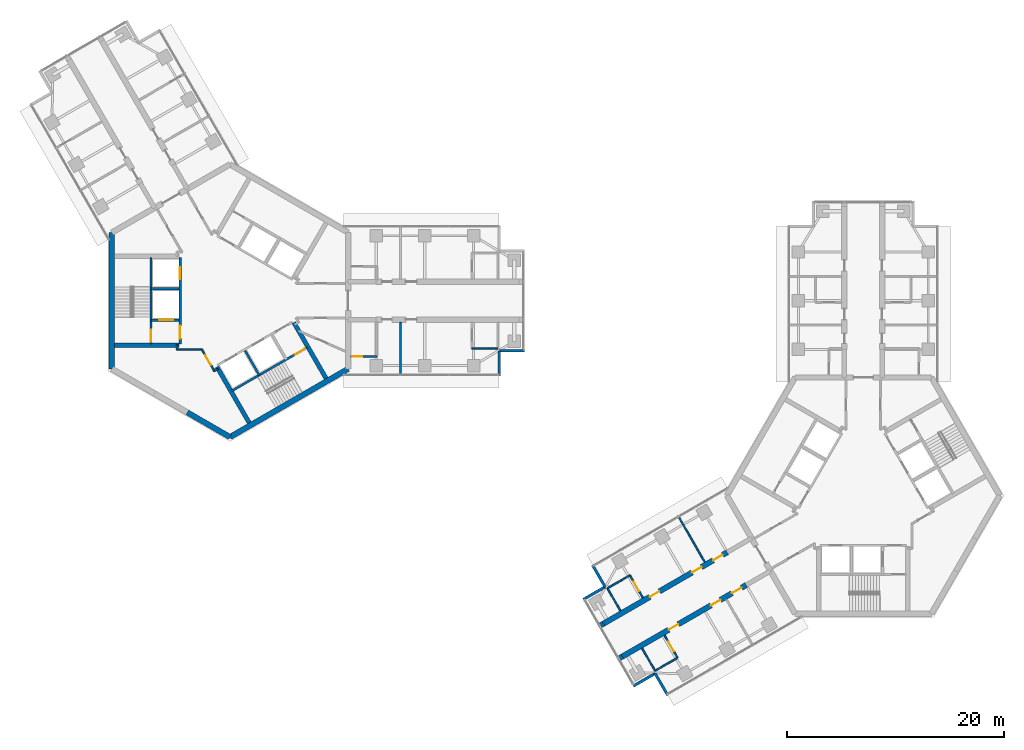
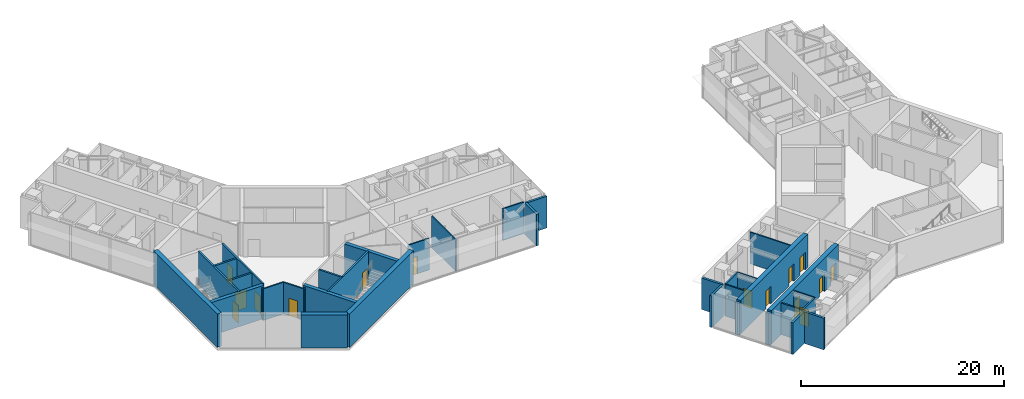
# One storey, part 11 of 17: 36 walls, 15 doors, 15 openings.
"""IFC4 building model written with IfcOpenShell, lengths in metres."""

from ifc_helpers import new_model, si_unit, direction, frame, frame_2d, origin, place, context, subcontext, project, spatial, rectangle, extrude, material, layer, layer_set, type_object, element, fill, save


model = new_model("IFC4")

# Units and contexts
model_context = context("Model", 3, precision=1e-05, world=origin(), true_north=direction((0.0, 1.0)))
body_context = subcontext(model_context, "Body", "Model", "MODEL_VIEW")
ifc_project = project(units=[si_unit("LENGTHUNIT", "METRE"), si_unit("AREAUNIT", "SQUARE_METRE"), si_unit("VOLUMEUNIT", "CUBIC_METRE"), si_unit("PLANEANGLEUNIT", "RADIAN"), si_unit("MASSUNIT", "GRAM", prefix="KILO")], contexts=[model_context])

# Site, building, storey
site_placement = place(None, origin())
site = spatial("IfcSite", under=ifc_project, at=site_placement, CompositionType="ELEMENT")
building_placement = place(site_placement, origin())
building = spatial("IfcBuilding", under=site, at=building_placement, Name="Upepo Twin Towers", CompositionType="ELEMENT")
storey_placement = place(building_placement, frame((0.0, 0.0, 202.5)))
storey = spatial("IfcBuildingStorey", under=building, at=storey_placement, Name="L49", CompositionType="ELEMENT", Elevation=202.5)

# Walls
ifc_material_1 = material(Name="Dense concrete blockwork", Category="masonry")
ifc_layer_1 = layer(ifc_material_1, 0.5)
ifc_layer_set_1 = layer_set([ifc_layer_1], Name="Buttress closer 500, blockwork with fire-stopping to the curtain wall")
wall_type_1 = type_object("IfcWallType", Name="Buttress closer 500, blockwork with fire-stopping to the curtain wall", PredefinedType="PARTITIONING", material=ifc_layer_set_1)
for number, where, z_axis, x_axis, name in (
    (1, (36.252197265625, -32.865478515625, 0.0), (0.0, 0.0, 1.0), (-0.86598763626, -0.500065409566, 0.0), "T2 L49 wing B buttress closer L"),
    (2, (34.502197265625, -29.83447265625, 0.0), (0.0, 0.0, 1.0), (-0.86598763626, -0.500065409566, 0.0), "T2 L49 wing B buttress closer R"),
):
    element("IfcWall", number, at=place(storey_placement, frame(where, z_axis=z_axis, x_axis=x_axis)), inside=storey, type_object=wall_type_1, Name=name, PredefinedType="PARTITIONING", context=body_context, shape_type="SweptSolid", body=[
        extrude(rectangle(XDim=0.28759765625, YDim=0.5, at=frame_2d((0.143798828125, 0.0))), origin(), (0.0, 0.0, 1.0), 3.800048828125),
    ])

# Wall, openings, doors
ifc_material_2 = material(Name="Concrete C60/75", Category="concrete")
ifc_layer_2 = layer(ifc_material_2, 0.5)
ifc_layer_set_2 = layer_set([ifc_layer_2], Name="Concrete C60/75")
wall_type_2 = type_object("IfcWallType", Name="Buttress wall 500 RC", PredefinedType="SHEAR", material=ifc_layer_set_2)
wall_1_placement = place(storey_placement, frame((47.68359375, -26.265625, 0.0), z_axis=(0.0, 0.0, 1.0), x_axis=(-0.866027579429, -0.499996231654, 0.0)))
wall_1 = element("IfcWall", 3, at=wall_1_placement, inside=storey, type_object=wall_type_2, Name="T2 wing B buttress wall L part 2", PredefinedType="SHEAR", context=body_context, shape_type="SweptSolid", body=[
    extrude(rectangle(XDim=13.19970703125, YDim=0.5, at=frame_2d((6.599853515625, 0.0))), origin(), (0.0, 0.0, 1.0), 4.0),
])
opening_1_placement = place(wall_1_placement, frame((0.5, 0.0, 0.0)))
opening_1 = element("IfcOpeningElement", 4, at=opening_1_placement, cuts=wall_1, Name="Opening D1", PredefinedType="OPENING", context=body_context, shape_type="SweptSolid", body=[
    extrude(rectangle(XDim=1.0, YDim=2.10009765625, at=frame_2d((0.5, 1.050048828125))), frame((0.0, 0.260009765625, 0.0), z_axis=(0.0, -1.0, 0.0), x_axis=(1.0, 0.0, 0.0)), (0.0, 0.0, 1.0), 0.52001953125),
])
opening_2_placement = place(wall_1_placement, frame((2.75, 0.0, 0.0)))
opening_2 = element("IfcOpeningElement", 5, at=opening_2_placement, cuts=wall_1, Name="Opening D1", PredefinedType="OPENING", context=body_context, shape_type="SweptSolid", body=[
    extrude(rectangle(XDim=1.0, YDim=2.10009765625, at=frame_2d((0.5, 1.050048828125))), frame((0.0, 0.260009765625, 0.0), z_axis=(0.0, -1.0, 0.0), x_axis=(1.0, 0.0, 0.0)), (0.0, 0.0, 1.0), 0.52001953125),
])
opening_3_placement = place(wall_1_placement, frame((7.25, 0.0, 0.0)))
opening_3 = element("IfcOpeningElement", 6, at=opening_3_placement, cuts=wall_1, Name="Opening D1", PredefinedType="OPENING", context=body_context, shape_type="SweptSolid", body=[
    extrude(rectangle(XDim=1.0, YDim=2.10009765625, at=frame_2d((0.5, 1.050048828125))), frame((0.0, 0.260009765625, 0.0), z_axis=(0.0, -1.0, 0.0), x_axis=(1.0, 0.0, 0.0)), (0.0, 0.0, 1.0), 0.52001953125),
])
ifc_material_3 = material(Name="Timber doorset", Category="wood")
door_type_1 = type_object("IfcDoorType", Name="Room door 1000 FD30", OperationType="SINGLE_SWING_LEFT", PredefinedType="DOOR", material=ifc_material_3)
door_1_placement = place(opening_1_placement, origin())
door_1 = element("IfcDoor", 7, at=door_1_placement, inside=storey, type_object=door_type_1, Name="T2 L49 tutorial room door", OperationType="SINGLE_SWING_LEFT", OverallHeight=2.10009765625, OverallWidth=1.0, PredefinedType="DOOR", context=body_context, shape_type="SweptSolid", body=[
    extrude(rectangle(XDim=1.0, YDim=2.10009765625, at=frame_2d((0.5, 1.050048828125))), frame((0.0, 0.02490234375, 0.0), z_axis=(0.0, -1.0, 0.0), x_axis=(1.0, 0.0, 0.0)), (0.0, 0.0, 1.0), 0.050048828125),
])
fill(opening_1, door_1)
door_2_placement = place(opening_2_placement, origin())
door_2 = element("IfcDoor", 8, at=door_2_placement, inside=storey, type_object=door_type_1, Name="T2 L49 business school suite door", OperationType="SINGLE_SWING_LEFT", OverallHeight=2.10009765625, OverallWidth=1.0, PredefinedType="DOOR", context=body_context, shape_type="SweptSolid", body=[
    extrude(rectangle(XDim=1.0, YDim=2.10009765625, at=frame_2d((0.5, 1.050048828125))), frame((0.0, 0.02490234375, 0.0), z_axis=(0.0, -1.0, 0.0), x_axis=(1.0, 0.0, 0.0)), (0.0, 0.0, 1.0), 0.050048828125),
])
fill(opening_2, door_2)
door_3_placement = place(opening_3_placement, origin())
door_3 = element("IfcDoor", 9, at=door_3_placement, inside=storey, type_object=door_type_1, Name="T2 L49 business school suite door", OperationType="SINGLE_SWING_RIGHT", OverallHeight=2.10009765625, OverallWidth=1.0, PredefinedType="DOOR", context=body_context, shape_type="SweptSolid", body=[
    extrude(rectangle(XDim=1.0, YDim=2.10009765625, at=frame_2d((0.5, 1.050048828125))), frame((0.0, 0.02490234375, 0.0), z_axis=(0.0, -1.0, 0.0), x_axis=(1.0, 0.0, 0.0)), (0.0, 0.0, 1.0), 0.050048828125),
])
fill(opening_3, door_3)

wall_2_placement = place(storey_placement, frame((45.93359375, -23.234375, 0.0), z_axis=(0.0, 0.0, 1.0), x_axis=(-0.866019570528, -0.500010103361, 0.0)))
wall_2 = element("IfcWall", 10, at=wall_2_placement, inside=storey, type_object=wall_type_2, Name="T2 wing B buttress wall R part 2", PredefinedType="SHEAR", context=body_context, shape_type="SweptSolid", body=[
    extrude(rectangle(XDim=13.199951171875, YDim=0.5, at=frame_2d((6.60009765625, 0.0))), origin(), (0.0, 0.0, 1.0), 4.0),
])
opening_4_placement = place(wall_2_placement, frame((0.5, 0.0, 0.0)))
opening_4 = element("IfcOpeningElement", 11, at=opening_4_placement, cuts=wall_2, Name="Opening D1", PredefinedType="OPENING", context=body_context, shape_type="SweptSolid", body=[
    extrude(rectangle(XDim=1.0, YDim=2.10009765625, at=frame_2d((0.5, 1.050048828125))), frame((0.0, 0.260009765625, 0.0), z_axis=(0.0, -1.0, 0.0), x_axis=(1.0, 0.0, 0.0)), (0.0, 0.0, 1.0), 0.52001953125),
])
opening_5_placement = place(wall_2_placement, frame((2.75, 0.0, 0.0)))
opening_5 = element("IfcOpeningElement", 12, at=opening_5_placement, cuts=wall_2, Name="Opening D1", PredefinedType="OPENING", context=body_context, shape_type="SweptSolid", body=[
    extrude(rectangle(XDim=1.0, YDim=2.10009765625, at=frame_2d((0.5, 1.050048828125))), frame((0.0, 0.260009765625, 0.0), z_axis=(0.0, -1.0, 0.0), x_axis=(1.0, 0.0, 0.0)), (0.0, 0.0, 1.0), 0.52001953125),
])
opening_6_placement = place(wall_2_placement, frame((7.25, 0.0, 0.0)))
opening_6 = element("IfcOpeningElement", 13, at=opening_6_placement, cuts=wall_2, Name="Opening D1", PredefinedType="OPENING", context=body_context, shape_type="SweptSolid", body=[
    extrude(rectangle(XDim=1.0, YDim=2.10009765625, at=frame_2d((0.5, 1.050048828125))), frame((0.0, 0.260009765625, 0.0), z_axis=(0.0, -1.0, 0.0), x_axis=(1.0, 0.0, 0.0)), (0.0, 0.0, 1.0), 0.52001953125),
])
door_4_placement = place(opening_4_placement, origin())
door_4 = element("IfcDoor", 14, at=door_4_placement, inside=storey, type_object=door_type_1, Name="T2 L49 staff office door", OperationType="SINGLE_SWING_LEFT", OverallHeight=2.10009765625, OverallWidth=1.0, PredefinedType="DOOR", context=body_context, shape_type="SweptSolid", body=[
    extrude(rectangle(XDim=1.0, YDim=2.10009765625, at=frame_2d((0.5, 1.050048828125))), frame((0.0, 0.02490234375, 0.0), z_axis=(0.0, -1.0, 0.0), x_axis=(1.0, 0.0, 0.0)), (0.0, 0.0, 1.0), 0.050048828125),
])
fill(opening_4, door_4)
door_5_placement = place(opening_5_placement, origin())
door_5 = element("IfcDoor", 15, at=door_5_placement, inside=storey, type_object=door_type_1, Name="T2 L49 business school suite door", OperationType="SINGLE_SWING_LEFT", OverallHeight=2.10009765625, OverallWidth=1.0, PredefinedType="DOOR", context=body_context, shape_type="SweptSolid", body=[
    extrude(rectangle(XDim=1.0, YDim=2.10009765625, at=frame_2d((0.5, 1.050048828125))), frame((0.0, 0.02490234375, 0.0), z_axis=(0.0, -1.0, 0.0), x_axis=(1.0, 0.0, 0.0)), (0.0, 0.0, 1.0), 0.050048828125),
])
fill(opening_5, door_5)
door_6_placement = place(opening_6_placement, origin())
door_6 = element("IfcDoor", 16, at=door_6_placement, inside=storey, type_object=door_type_1, Name="T2 L49 business school suite door", OperationType="SINGLE_SWING_RIGHT", OverallHeight=2.10009765625, OverallWidth=1.0, PredefinedType="DOOR", context=body_context, shape_type="SweptSolid", body=[
    extrude(rectangle(XDim=1.0, YDim=2.10009765625, at=frame_2d((0.5, 1.050048828125))), frame((0.0, 0.02490234375, 0.0), z_axis=(0.0, -1.0, 0.0), x_axis=(1.0, 0.0, 0.0)), (0.0, 0.0, 1.0), 0.050048828125),
])
fill(opening_6, door_6)

# Walls
ifc_material_4 = material(Name="Concrete C60/75", Category="concrete")
ifc_layer_3 = layer(ifc_material_4, 0.5)
ifc_layer_set_3 = layer_set([ifc_layer_3], Name="Concrete C60/75")
wall_type_3 = type_object("IfcWallType", Name="Core wall 500 RC", PredefinedType="SHEAR", material=ifc_layer_set_3)
wall_3_placement = place(storey_placement, frame((-10.908447265625, 6.2978515625, 0.0), z_axis=(0.0, 0.0, 1.0), x_axis=(0.0, -1.0, 0.0)))
element("IfcWall", 17, at=wall_3_placement, inside=storey, type_object=wall_type_3, Name="T1 core wall 180", PredefinedType="SHEAR", context=body_context, shape_type="SweptSolid", body=[
    extrude(rectangle(XDim=12.595703125, YDim=0.5, at=frame_2d((6.2978515625, 0.0))), origin(), (0.0, 0.0, 1.0), 4.0),
])
wall_4_placement = place(storey_placement, frame((-3.938720703125, -10.32177734375, 0.0), z_axis=(0.0, 0.0, 1.0), x_axis=(0.866011268655, -0.500024481964, 0.0)))
element("IfcWall", 18, at=wall_4_placement, inside=storey, type_object=wall_type_3, Name="T1 core wall 240 L", PredefinedType="SHEAR", context=body_context, shape_type="SweptSolid", body=[
    extrude(rectangle(XDim=4.548095703125, YDim=0.5, at=frame_2d((2.27392578125, 0.0))), origin(), (0.0, 0.0, 1.0), 4.0),
])
wall_5_placement = place(storey_placement, frame((0.0, -12.595947265625, 0.0), z_axis=(0.0, 0.0, 1.0), x_axis=(0.866021940709, 0.500005998175, 0.0)))
element("IfcWall", 19, at=wall_5_placement, inside=storey, type_object=wall_type_3, Name="T1 core wall 300", PredefinedType="SHEAR", context=body_context, shape_type="SweptSolid", body=[
    extrude(rectangle(XDim=12.595947265625, YDim=0.5, at=frame_2d((6.2978515625, 0.0))), origin(), (0.0, 0.0, 1.0), 4.0),
])
ifc_material_5 = material(Name="Blockwork with anodised aluminium cladding", Category="masonry")
ifc_layer_4 = layer(ifc_material_5, 0.25)
ifc_layer_set_4 = layer_set([ifc_layer_4], Name="Notch cladding wall 250, pale metal")
wall_type_4 = type_object("IfcWallType", Name="Notch cladding wall 250, pale metal", PredefinedType="STANDARD", material=ifc_layer_set_4)
for number, where, z_axis, x_axis, name in (
    (20, (24.875, -6.949951171875, 0.0), (0.0, 0.0, 1.0), (0.0, 1.0, 0.0), "T1 L49 wing A notch wall R1"),
    (21, (24.875, -4.625, 0.0), (0.0, 0.0, 1.0), (1.0, 0.0, 0.0), "T1 L49 wing A notch wall R2"),
    (22, (40.4326171875, -36.456298828125, 0.0), (0.0, 0.0, 1.0), (-0.500046648681, 0.865998469481, 0.0), "T2 L49 wing B notch wall L1"),
    (23, (39.27001953125, -34.44287109375, 0.0), (0.0, 0.0, 1.0), (-0.865998469481, -0.500046648681, 0.0), "T2 L49 wing B notch wall L2"),
    (24, (33.482666015625, -24.418701171875, 0.0), (0.0, 0.0, 1.0), (0.499967891604, -0.866043940782, 0.0), "T2 L49 wing B notch wall R1"),
    (25, (34.64501953125, -26.43212890625, 0.0), (0.0, 0.0, 1.0), (-0.865998469481, -0.500046648681, 0.0), "T2 L49 wing B notch wall R2"),
):
    element("IfcWall", number, at=place(storey_placement, frame(where, z_axis=z_axis, x_axis=x_axis)), inside=storey, type_object=wall_type_4, Name=name, PredefinedType="STANDARD", context=body_context, shape_type="SweptSolid", body=[
        extrude(rectangle(XDim=2.324951171875, YDim=0.25, at=frame_2d((1.16259765625, 0.0))), origin(), (0.0, 0.0, 1.0), 3.800048828125),
    ])

# Wall, openings, doors
ifc_material_6 = material(Name="Concrete C40/50", Category="concrete")
ifc_layer_5 = layer(ifc_material_6, 0.199951171875)
ifc_layer_set_5 = layer_set([ifc_layer_5], Name="Concrete C40/50")
wall_type_5 = type_object("IfcWallType", Name="Shaft wall 200 RC", PredefinedType="SHEAR", material=ifc_layer_set_5)
wall_6_placement = place(storey_placement, frame((-4.60009765625, 4.0, 0.0), z_axis=(0.0, 0.0, 1.0), x_axis=(0.0, -1.0, 0.0)))
wall_6 = element("IfcWall", 26, at=wall_6_placement, inside=storey, type_object=wall_type_5, Name="T1 core W180 front wall", PredefinedType="SHEAR", context=body_context, shape_type="SweptSolid", body=[
    extrude(rectangle(XDim=8.0, YDim=0.199951171875, at=frame_2d((4.0, 0.0))), origin(), (0.0, 0.0, 1.0), 4.0),
])
opening_7_placement = place(wall_6_placement, frame((6.300048828125, 0.0, 0.0)))
opening_7 = element("IfcOpeningElement", 27, at=opening_7_placement, cuts=wall_6, Name="Opening D4", PredefinedType="OPENING", context=body_context, shape_type="SweptSolid", body=[
    extrude(rectangle(XDim=1.199951171875, YDim=2.10009765625, at=frame_2d((0.60009765625, 1.050048828125))), frame((0.0, 0.10986328125, 0.0), z_axis=(0.0, -1.0, 0.0), x_axis=(1.0, 0.0, 0.0)), (0.0, 0.0, 1.0), 0.219970703125),
])
opening_8_placement = place(wall_6_placement, frame((0.89990234375, 0.0, 0.0)))
opening_8 = element("IfcOpeningElement", 28, at=opening_8_placement, cuts=wall_6, Name="Opening LD1", PredefinedType="OPENING", context=body_context, shape_type="SweptSolid", body=[
    extrude(rectangle(XDim=1.10009765625, YDim=2.199951171875, at=frame_2d((0.550048828125, 1.10009765625))), frame((0.0, 0.10986328125, 0.0), z_axis=(0.0, -1.0, 0.0), x_axis=(1.0, 0.0, 0.0)), (0.0, 0.0, 1.0), 0.219970703125),
])
ifc_material_7 = material(Name="Steel doorset", Category="steel")
door_type_2 = type_object("IfcDoorType", Name="Lift landing door 1100", OperationType="DOUBLE_DOOR_SLIDING", PredefinedType="DOOR", material=ifc_material_7)
door_7_placement = place(opening_8_placement, origin())
door_7 = element("IfcDoor", 29, at=door_7_placement, inside=storey, type_object=door_type_2, Name="T1 L49 lift SV1 landing door", OperationType="DOUBLE_DOOR_SLIDING", OverallHeight=2.199951171875, OverallWidth=1.10009765625, PredefinedType="DOOR", context=body_context, shape_type="SweptSolid", body=[
    extrude(rectangle(XDim=1.10009765625, YDim=2.199951171875, at=frame_2d((0.550048828125, 1.10009765625))), frame((0.0, 0.02490234375, 0.0), z_axis=(0.0, -1.0, 0.0), x_axis=(1.0, 0.0, 0.0)), (0.0, 0.0, 1.0), 0.050048828125),
])
fill(opening_8, door_7)
ifc_material_8 = material(Name="Timber doorset", Category="wood")
door_type_3 = type_object("IfcDoorType", Name="Lobby door 1200 FD60", OperationType="SINGLE_SWING_LEFT", PredefinedType="DOOR", material=ifc_material_8)
door_8_placement = place(opening_7_placement, origin())
door_8 = element("IfcDoor", 30, at=door_8_placement, inside=storey, type_object=door_type_3, Name="T1 L49 W180 lobby door", OperationType="SINGLE_SWING_RIGHT", OverallHeight=2.10009765625, OverallWidth=1.199951171875, PredefinedType="DOOR", context=body_context, shape_type="SweptSolid", body=[
    extrude(rectangle(XDim=1.199951171875, YDim=2.10009765625, at=frame_2d((0.60009765625, 1.050048828125))), frame((0.0, 0.02490234375, 0.0), z_axis=(0.0, -1.0, 0.0), x_axis=(1.0, 0.0, 0.0)), (0.0, 0.0, 1.0), 0.050048828125),
])
fill(opening_7, door_8)

# Wall
wall_7_placement = place(storey_placement, frame((-4.699951171875, 1.10009765625, 0.0), z_axis=(0.0, 0.0, 1.0), x_axis=(-1.0, 0.0, 0.0)))
element("IfcWall", 31, at=wall_7_placement, inside=storey, type_object=wall_type_5, Name="T1 core W180 shaft divider", PredefinedType="SHEAR", context=body_context, shape_type="SweptSolid", body=[
    extrude(rectangle(XDim=2.60009765625, YDim=0.199951171875, at=frame_2d((1.300048828125, 0.0))), origin(), (0.0, 0.0, 1.0), 4.0),
])

# Wall, opening, door
wall_8_placement = place(storey_placement, frame((-4.699951171875, -1.800048828125, 0.0), z_axis=(0.0, 0.0, 1.0), x_axis=(-1.0, 0.0, 0.0)))
wall_8 = element("IfcWall", 32, at=wall_8_placement, inside=storey, type_object=wall_type_5, Name="T1 core W180 lobby wall", PredefinedType="SHEAR", context=body_context, shape_type="SweptSolid", body=[
    extrude(rectangle(XDim=2.60009765625, YDim=0.199951171875, at=frame_2d((1.300048828125, 0.0))), origin(), (0.0, 0.0, 1.0), 4.0),
])
opening_9_placement = place(wall_8_placement, frame((0.550048828125, 0.0, 0.0)))
opening_9 = element("IfcOpeningElement", 33, at=opening_9_placement, cuts=wall_8, Name="Opening LD2", PredefinedType="OPENING", context=body_context, shape_type="SweptSolid", body=[
    extrude(rectangle(XDim=1.300048828125, YDim=2.199951171875, at=frame_2d((0.64990234375, 1.10009765625))), frame((0.0, 0.10986328125, 0.0), z_axis=(0.0, -1.0, 0.0), x_axis=(1.0, 0.0, 0.0)), (0.0, 0.0, 1.0), 0.219970703125),
])
ifc_material_9 = material(Name="Steel doorset", Category="steel")
door_type_4 = type_object("IfcDoorType", Name="Firefighting lift landing door 1300", OperationType="DOUBLE_DOOR_SLIDING", PredefinedType="DOOR", material=ifc_material_9)
door_9_placement = place(opening_9_placement, origin())
door_9 = element("IfcDoor", 34, at=door_9_placement, inside=storey, type_object=door_type_4, Name="T1 L49 firefighting lift landing door", OperationType="DOUBLE_DOOR_SLIDING", OverallHeight=2.199951171875, OverallWidth=1.300048828125, PredefinedType="DOOR", context=body_context, shape_type="SweptSolid", body=[
    extrude(rectangle(XDim=1.300048828125, YDim=2.199951171875, at=frame_2d((0.64990234375, 1.10009765625))), frame((0.0, 0.02490234375, 0.0), z_axis=(0.0, -1.0, 0.0), x_axis=(1.0, 0.0, 0.0)), (0.0, 0.0, 1.0), 0.050048828125),
])
fill(opening_9, door_9)

wall_9_placement = place(storey_placement, frame((-7.300048828125, 4.0, 0.0), z_axis=(0.0, 0.0, 1.0), x_axis=(0.0, -1.0, 0.0)))
wall_9 = element("IfcWall", 35, at=wall_9_placement, inside=storey, type_object=wall_type_5, Name="T1 core W180 stair wall", PredefinedType="SHEAR", context=body_context, shape_type="SweptSolid", body=[
    extrude(rectangle(XDim=8.0, YDim=0.199951171875, at=frame_2d((4.0, 0.0))), origin(), (0.0, 0.0, 1.0), 4.0),
])
opening_10_placement = place(wall_9_placement, frame((6.699951171875, 0.0, 0.0)))
opening_10 = element("IfcOpeningElement", 36, at=opening_10_placement, cuts=wall_9, Name="Opening D3", PredefinedType="OPENING", context=body_context, shape_type="SweptSolid", body=[
    extrude(rectangle(XDim=1.10009765625, YDim=2.10009765625, at=frame_2d((0.550048828125, 1.050048828125))), frame((0.0, 0.10986328125, 0.0), z_axis=(0.0, -1.0, 0.0), x_axis=(1.0, 0.0, 0.0)), (0.0, 0.0, 1.0), 0.219970703125),
])
ifc_material_10 = material(Name="Timber doorset", Category="wood")
door_type_5 = type_object("IfcDoorType", Name="Stair door 1100 FD60", OperationType="SINGLE_SWING_LEFT", PredefinedType="DOOR", material=ifc_material_10)
door_10_placement = place(opening_10_placement, origin())
door_10 = element("IfcDoor", 37, at=door_10_placement, inside=storey, type_object=door_type_5, Name="T1 L49 stair door", OperationType="SINGLE_SWING_RIGHT", OverallHeight=2.10009765625, OverallWidth=1.10009765625, PredefinedType="DOOR", context=body_context, shape_type="SweptSolid", body=[
    extrude(rectangle(XDim=1.10009765625, YDim=2.10009765625, at=frame_2d((0.550048828125, 1.050048828125))), frame((0.0, 0.02490234375, 0.0), z_axis=(0.0, -1.0, 0.0), x_axis=(1.0, 0.0, 0.0)), (0.0, 0.0, 1.0), 0.050048828125),
])
fill(opening_10, door_10)

# Wall
wall_10_placement = place(storey_placement, frame((1.3974609375, -4.620361328125, 0.0), z_axis=(0.0, 0.0, 1.0), x_axis=(0.499936506574, -0.866062058628, 0.0)))
element("IfcWall", 38, at=wall_10_placement, inside=storey, type_object=wall_type_5, Name="T1 core W300 shaft divider", PredefinedType="SHEAR", context=body_context, shape_type="SweptSolid", body=[
    extrude(rectangle(XDim=2.599853515625, YDim=0.199951171875, at=frame_2d((1.2998046875, 0.0))), origin(), (0.0, 0.0, 1.0), 4.0),
])

# Wall, opening, door
wall_11_placement = place(storey_placement, frame((0.185791015625, -8.322021484375, 0.0), z_axis=(0.0, 0.0, 1.0), x_axis=(0.866026010844, 0.49999894854, 0.0)))
wall_11 = element("IfcWall", 39, at=wall_11_placement, inside=storey, type_object=wall_type_5, Name="T1 core W300 stair wall", PredefinedType="SHEAR", context=body_context, shape_type="SweptSolid", body=[
    extrude(rectangle(XDim=8.0, YDim=0.199951171875, at=frame_2d((4.0, 0.0))), origin(), (0.0, 0.0, 1.0), 4.0),
])
opening_11_placement = place(wall_11_placement, frame((6.699951171875, 0.0, 0.0)))
opening_11 = element("IfcOpeningElement", 40, at=opening_11_placement, cuts=wall_11, Name="Opening D3", PredefinedType="OPENING", context=body_context, shape_type="SweptSolid", body=[
    extrude(rectangle(XDim=1.10009765625, YDim=2.10009765625, at=frame_2d((0.550048828125, 1.050048828125))), frame((0.0, 0.10986328125, 0.0), z_axis=(0.0, -1.0, 0.0), x_axis=(1.0, 0.0, 0.0)), (0.0, 0.0, 1.0), 0.219970703125),
])
door_11_placement = place(opening_11_placement, origin())
door_11 = element("IfcDoor", 41, at=door_11_placement, inside=storey, type_object=door_type_5, Name="T1 L49 stair door", OperationType="SINGLE_SWING_RIGHT", OverallHeight=2.10009765625, OverallWidth=1.10009765625, PredefinedType="DOOR", context=body_context, shape_type="SweptSolid", body=[
    extrude(rectangle(XDim=1.10009765625, YDim=2.10009765625, at=frame_2d((0.550048828125, 1.050048828125))), frame((0.0, 0.02490234375, 0.0), z_axis=(0.0, -1.0, 0.0), x_axis=(1.0, 0.0, 0.0)), (0.0, 0.0, 1.0), 0.050048828125),
])
fill(opening_11, door_11)

# Walls
ifc_material_11 = material(Name="Concrete C40/50", Category="concrete")
ifc_layer_6 = layer(ifc_material_11, 0.39990234375)
ifc_layer_set_6 = layer_set([ifc_layer_6], Name="Concrete C40/50")
wall_type_6 = type_object("IfcWallType", Name="Shaft wall 400 RC", PredefinedType="SHEAR", material=ifc_layer_set_6)
for number, where, z_axis, x_axis, name in (
    (42, (-4.699951171875, -4.10009765625, 0.0), (0.0, 0.0, 1.0), (-1.0, 0.0, 0.0), "T1 core W180 side wall N"),
    (43, (5.900634765625, -2.020263671875, 0.0), (0.0, 0.0, 1.0), (0.500003832394, -0.86602319114, 0.0), "T1 core W300 side wall N"),
):
    element("IfcWall", number, at=place(storey_placement, frame(where, z_axis=z_axis, x_axis=x_axis)), inside=storey, type_object=wall_type_6, Name=name, PredefinedType="SHEAR", context=body_context, shape_type="SweptSolid", body=[
        extrude(rectangle(XDim=5.95849609375, YDim=0.39990234375, at=frame_2d((2.979248046875, 0.0))), origin(), (0.0, 0.0, 1.0), 4.0),
    ])
wall_12_placement = place(storey_placement, frame((-1.20068359375, -6.120361328125, 0.0), z_axis=(0.0, 0.0, 1.0), x_axis=(0.500021575205, -0.866012946976, 0.0)))
element("IfcWall", 44, at=wall_12_placement, inside=storey, type_object=wall_type_6, Name="T1 core W300 side wall S", PredefinedType="SHEAR", context=body_context, shape_type="SweptSolid", body=[
    extrude(rectangle(XDim=5.958251953125, YDim=0.39990234375, at=frame_2d((2.97900390625, 0.0))), origin(), (0.0, 0.0, 1.0), 4.0),
])
ifc_material_12 = material(Name="Gypsum board on steel studs", Category="steel")
ifc_layer_7 = layer(ifc_material_12, 0.14990234375)
ifc_layer_set_7 = layer_set([ifc_layer_7], Name="Teaching partition 150 acoustic")
wall_type_7 = type_object("IfcWallType", Name="Teaching partition 150 acoustic", PredefinedType="PARTITIONING", material=ifc_layer_set_7)
wall_13_placement = place(storey_placement, frame((15.75, -2.0, 0.0), z_axis=(0.0, 0.0, 1.0), x_axis=(0.0, -1.0, 0.0)))
element("IfcWall", 45, at=wall_13_placement, inside=storey, type_object=wall_type_7, Name="T1 partition AR at 15.75", PredefinedType="PARTITIONING", context=body_context, shape_type="SweptSolid", body=[
    extrude(rectangle(XDim=4.75, YDim=0.14990234375, at=frame_2d((2.375, 0.0))), origin(), (0.0, 0.0, 1.0), 3.800048828125),
])
wall_14_placement = place(storey_placement, frame((22.35009765625, -4.39990234375, 0.0), z_axis=(0.0, 0.0, 1.0), x_axis=(1.0, 0.0, 0.0)))
element("IfcWall", 46, at=wall_14_placement, inside=storey, type_object=wall_type_7, Name="T1 inner room partition AR at 22.35", PredefinedType="PARTITIONING", context=body_context, shape_type="SweptSolid", body=[
    extrude(rectangle(XDim=2.39990234375, YDim=0.14990234375, at=frame_2d((1.199951171875, 0.0))), origin(), (0.0, 0.0, 1.0), 3.800048828125),
])

# Wall, opening, door
wall_15_placement = place(storey_placement, frame((11.157958984375, -5.14990234375, 0.0), z_axis=(0.0, 0.0, 1.0), x_axis=(1.0, 0.0, 0.0)))
wall_15 = element("IfcWall", 47, at=wall_15_placement, inside=storey, type_object=wall_type_7, Name="T1 WC bay partition AR at 11.16", PredefinedType="PARTITIONING", context=body_context, shape_type="SweptSolid", body=[
    extrude(rectangle(XDim=2.400146484375, YDim=0.14990234375, at=frame_2d((1.2001953125, 0.0))), origin(), (0.0, 0.0, 1.0), 3.800048828125),
])
opening_12_placement = place(wall_15_placement, frame((0.14990234375, 0.0, 0.0)))
opening_12 = element("IfcOpeningElement", 48, at=opening_12_placement, cuts=wall_15, Name="Opening D14", PredefinedType="OPENING", context=body_context, shape_type="SweptSolid", body=[
    extrude(rectangle(XDim=0.89990234375, YDim=2.10009765625, at=frame_2d((0.449951171875, 1.050048828125))), frame((0.0, 0.0849609375, 0.0), z_axis=(0.0, -1.0, 0.0), x_axis=(1.0, 0.0, 0.0)), (0.0, 0.0, 1.0), 0.169921875),
])
ifc_material_13 = material(Name="Timber doorset", Category="wood")
door_type_6 = type_object("IfcDoorType", Name="Office door 900 FD30", OperationType="SINGLE_SWING_LEFT", PredefinedType="DOOR", material=ifc_material_13)
door_12_placement = place(opening_12_placement, origin())
door_12 = element("IfcDoor", 49, at=door_12_placement, inside=storey, type_object=door_type_6, Name="T1 L49 WC bay inner room door", OperationType="SINGLE_SWING_LEFT", OverallHeight=2.10009765625, OverallWidth=0.89990234375, PredefinedType="DOOR", context=body_context, shape_type="SweptSolid", body=[
    extrude(rectangle(XDim=0.89990234375, YDim=2.10009765625, at=frame_2d((0.449951171875, 1.050048828125))), frame((0.0, 0.02490234375, 0.0), z_axis=(0.0, -1.0, 0.0), x_axis=(1.0, 0.0, 0.0)), (0.0, 0.0, 1.0), 0.050048828125),
])
fill(opening_12, door_12)

# Wall
wall_16_placement = place(storey_placement, frame((-1.092041015625, -6.28857421875, 0.0), z_axis=(0.0, 0.0, 1.0), x_axis=(-0.866138304741, -0.499804398801, 0.0)))
element("IfcWall", 50, at=wall_16_placement, inside=storey, type_object=wall_type_7, Name="T1 core room partition 2", PredefinedType="PARTITIONING", context=body_context, shape_type="SweptSolid", body=[
    extrude(rectangle(XDim=0.429931640625, YDim=0.14990234375, at=frame_2d((0.21484375, 0.0))), origin(), (0.0, 0.0, 1.0), 3.800048828125),
])

# Wall, opening, door
wall_17_placement = place(storey_placement, frame((-1.43701171875, -6.5107421875, 0.0), z_axis=(0.0, 0.0, 1.0), x_axis=(-0.500074377092, 0.865982457891, 0.0)))
wall_17 = element("IfcWall", 51, at=wall_17_placement, inside=storey, type_object=wall_type_7, Name="T1 core room partition 3", PredefinedType="PARTITIONING", context=body_context, shape_type="SweptSolid", body=[
    extrude(rectangle(XDim=2.342041015625, YDim=0.14990234375, at=frame_2d((1.1708984375, 0.0))), origin(), (0.0, 0.0, 1.0), 3.800048828125),
])
opening_13_placement = place(wall_17_placement, frame((0.6708984375, 0.0, 0.0)))
opening_13 = element("IfcOpeningElement", 52, at=opening_13_placement, cuts=wall_17, Name="Opening D1", PredefinedType="OPENING", context=body_context, shape_type="SweptSolid", body=[
    extrude(rectangle(XDim=1.0, YDim=2.10009765625, at=frame_2d((0.5, 1.050048828125))), frame((0.0, 0.0849609375, 0.0), z_axis=(0.0, -1.0, 0.0), x_axis=(1.0, 0.0, 0.0)), (0.0, 0.0, 1.0), 0.169921875),
])
door_13_placement = place(opening_13_placement, origin())
door_13 = element("IfcDoor", 53, at=door_13_placement, inside=storey, type_object=door_type_1, Name="T1 L49 core room door K1", OperationType="SINGLE_SWING_RIGHT", OverallHeight=2.10009765625, OverallWidth=1.0, PredefinedType="DOOR", context=body_context, shape_type="SweptSolid", body=[
    extrude(rectangle(XDim=1.0, YDim=2.10009765625, at=frame_2d((0.5, 1.050048828125))), frame((0.0, 0.02490234375, 0.0), z_axis=(0.0, -1.0, 0.0), x_axis=(1.0, 0.0, 0.0)), (0.0, 0.0, 1.0), 0.050048828125),
])
fill(opening_13, door_13)

# Walls
wall_18_placement = place(storey_placement, frame((-2.578125, -4.5, 0.0), z_axis=(0.0, 0.0, 1.0), x_axis=(-1.0, 0.0, 0.0)))
element("IfcWall", 54, at=wall_18_placement, inside=storey, type_object=wall_type_7, Name="T1 core room partition 4", PredefinedType="PARTITIONING", context=body_context, shape_type="SweptSolid", body=[
    extrude(rectangle(XDim=2.341796875, YDim=0.14990234375, at=frame_2d((1.1708984375, 0.0))), origin(), (0.0, 0.0, 1.0), 3.800048828125),
])
wall_19_placement = place(storey_placement, frame((-4.89990234375, -4.52001953125, 0.0), z_axis=(0.0, 0.0, 1.0), x_axis=(0.0, 1.0, 0.0)))
element("IfcWall", 55, at=wall_19_placement, inside=storey, type_object=wall_type_7, Name="T1 core room partition 5", PredefinedType="PARTITIONING", context=body_context, shape_type="SweptSolid", body=[
    extrude(rectangle(XDim=0.429931640625, YDim=0.14990234375, at=frame_2d((0.21484375, 0.0))), origin(), (0.0, 0.0, 1.0), 3.800048828125),
])
wall_20_placement = place(storey_placement, frame((41.34423828125, -32.985595703125, 0.0), z_axis=(0.0, 0.0, 1.0), x_axis=(-0.866024647952, -0.500001309137, 0.0)))
element("IfcWall", 56, at=wall_20_placement, inside=storey, type_object=wall_type_7, Name="T2 inner room partition BL at 22.35", PredefinedType="PARTITIONING", context=body_context, shape_type="SweptSolid", body=[
    extrude(rectangle(XDim=2.39990234375, YDim=0.14990234375, at=frame_2d((1.199951171875, 0.0))), origin(), (0.0, 0.0, 1.0), 3.800048828125),
])

# Wall, opening, door
wall_21_placement = place(storey_placement, frame((40.144287109375, -30.906982421875, 0.0), z_axis=(0.0, 0.0, 1.0), x_axis=(0.499957262057, -0.866050077142, 0.0)))
wall_21 = element("IfcWall", 57, at=wall_21_placement, inside=storey, type_object=wall_type_7, Name="T2 inner room partition BL end at 22.35", PredefinedType="PARTITIONING", context=body_context, shape_type="SweptSolid", body=[
    extrude(rectangle(XDim=2.400146484375, YDim=0.14990234375, at=frame_2d((1.2001953125, 0.0))), origin(), (0.0, 0.0, 1.0), 3.800048828125),
])
opening_14_placement = place(wall_21_placement, frame((0.699951171875, 0.0, 0.0)))
opening_14 = element("IfcOpeningElement", 58, at=opening_14_placement, cuts=wall_21, Name="Opening D1", PredefinedType="OPENING", context=body_context, shape_type="SweptSolid", body=[
    extrude(rectangle(XDim=1.0, YDim=2.10009765625, at=frame_2d((0.5, 1.050048828125))), frame((0.0, 0.0849609375, 0.0), z_axis=(0.0, -1.0, 0.0), x_axis=(1.0, 0.0, 0.0)), (0.0, 0.0, 1.0), 0.169921875),
])
door_14_placement = place(opening_14_placement, origin())
door_14 = element("IfcDoor", 59, at=door_14_placement, inside=storey, type_object=door_type_1, Name="T2 L49 inner room door", OperationType="SINGLE_SWING_LEFT", OverallHeight=2.10009765625, OverallWidth=1.0, PredefinedType="DOOR", context=body_context, shape_type="SweptSolid", body=[
    extrude(rectangle(XDim=1.0, YDim=2.10009765625, at=frame_2d((0.5, 1.050048828125))), frame((0.0, 0.02490234375, 0.0), z_axis=(0.0, -1.0, 0.0), x_axis=(1.0, 0.0, 0.0)), (0.0, 0.0, 1.0), 0.050048828125),
])
fill(opening_14, door_14)

# Walls
wall_22_placement = place(storey_placement, frame((38.06591796875, -32.10693359375, 0.0), z_axis=(0.0, 0.0, 1.0), x_axis=(0.499957262057, -0.866050077142, 0.0)))
element("IfcWall", 60, at=wall_22_placement, inside=storey, type_object=wall_type_7, Name="T2 inner room partition BL end at 24.75", PredefinedType="PARTITIONING", context=body_context, shape_type="SweptSolid", body=[
    extrude(rectangle(XDim=2.400146484375, YDim=0.14990234375, at=frame_2d((1.2001953125, 0.0))), origin(), (0.0, 0.0, 1.0), 3.800048828125),
])
wall_23_placement = place(storey_placement, frame((43.860107421875, -24.14306640625, 0.0), z_axis=(0.0, 0.0, 1.0), x_axis=(-0.499986429846, 0.866033238375, 0.0)))
element("IfcWall", 61, at=wall_23_placement, inside=storey, type_object=wall_type_7, Name="T2 partition BR at 15.75", PredefinedType="PARTITIONING", context=body_context, shape_type="SweptSolid", body=[
    extrude(rectangle(XDim=4.750244140625, YDim=0.14990234375, at=frame_2d((2.375, 0.0))), origin(), (0.0, 0.0, 1.0), 3.800048828125),
])
wall_24_placement = place(storey_placement, frame((36.9443359375, -25.364501953125, 0.0), z_axis=(0.0, 0.0, 1.0), x_axis=(-0.866024647952, -0.500001309137, 0.0)))
element("IfcWall", 62, at=wall_24_placement, inside=storey, type_object=wall_type_7, Name="T2 inner room partition BR at 22.35", PredefinedType="PARTITIONING", context=body_context, shape_type="SweptSolid", body=[
    extrude(rectangle(XDim=2.39990234375, YDim=0.14990234375, at=frame_2d((1.199951171875, 0.0))), origin(), (0.0, 0.0, 1.0), 3.800048828125),
])

# Wall, opening, door
wall_25_placement = place(storey_placement, frame((38.144287109375, -27.44287109375, 0.0), z_axis=(0.0, 0.0, 1.0), x_axis=(-0.500001309137, 0.866024647952, 0.0)))
wall_25 = element("IfcWall", 63, at=wall_25_placement, inside=storey, type_object=wall_type_7, Name="T2 inner room partition BR end at 22.35", PredefinedType="PARTITIONING", context=body_context, shape_type="SweptSolid", body=[
    extrude(rectangle(XDim=2.39990234375, YDim=0.14990234375, at=frame_2d((1.199951171875, 0.0))), origin(), (0.0, 0.0, 1.0), 3.800048828125),
])
opening_15_placement = place(wall_25_placement, frame((0.699951171875, 0.0, 0.0)))
opening_15 = element("IfcOpeningElement", 64, at=opening_15_placement, cuts=wall_25, Name="Opening D1", PredefinedType="OPENING", context=body_context, shape_type="SweptSolid", body=[
    extrude(rectangle(XDim=1.0, YDim=2.10009765625, at=frame_2d((0.5, 1.050048828125))), frame((0.0, 0.0849609375, 0.0), z_axis=(0.0, -1.0, 0.0), x_axis=(1.0, 0.0, 0.0)), (0.0, 0.0, 1.0), 0.169921875),
])
door_15_placement = place(opening_15_placement, origin())
door_15 = element("IfcDoor", 65, at=door_15_placement, inside=storey, type_object=door_type_1, Name="T2 L49 inner room door", OperationType="SINGLE_SWING_LEFT", OverallHeight=2.10009765625, OverallWidth=1.0, PredefinedType="DOOR", context=body_context, shape_type="SweptSolid", body=[
    extrude(rectangle(XDim=1.0, YDim=2.10009765625, at=frame_2d((0.5, 1.050048828125))), frame((0.0, 0.02490234375, 0.0), z_axis=(0.0, -1.0, 0.0), x_axis=(1.0, 0.0, 0.0)), (0.0, 0.0, 1.0), 0.050048828125),
])
fill(opening_15, door_15)

# Wall
wall_26_placement = place(storey_placement, frame((36.06591796875, -28.64306640625, 0.0), z_axis=(0.0, 0.0, 1.0), x_axis=(-0.499957262057, 0.866050077142, 0.0)))
element("IfcWall", 66, at=wall_26_placement, inside=storey, type_object=wall_type_7, Name="T2 inner room partition BR end at 24.75", PredefinedType="PARTITIONING", context=body_context, shape_type="SweptSolid", body=[
    extrude(rectangle(XDim=2.400146484375, YDim=0.14990234375, at=frame_2d((1.2001953125, 0.0))), origin(), (0.0, 0.0, 1.0), 3.800048828125),
])

save(model, "model.ifc")
